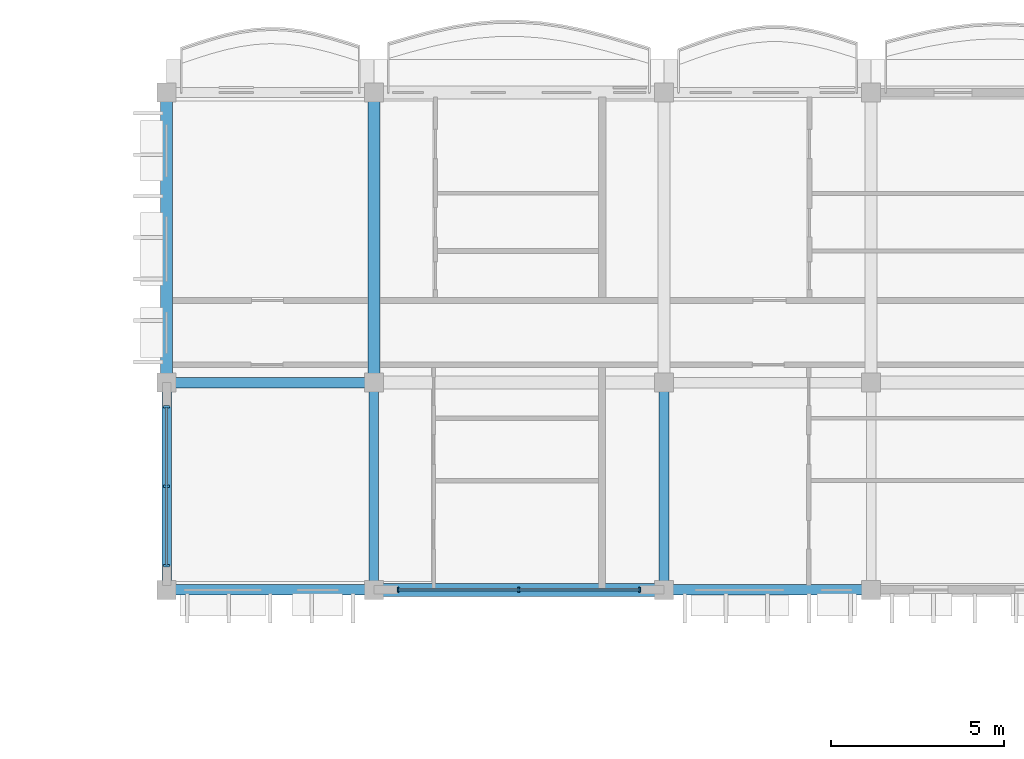
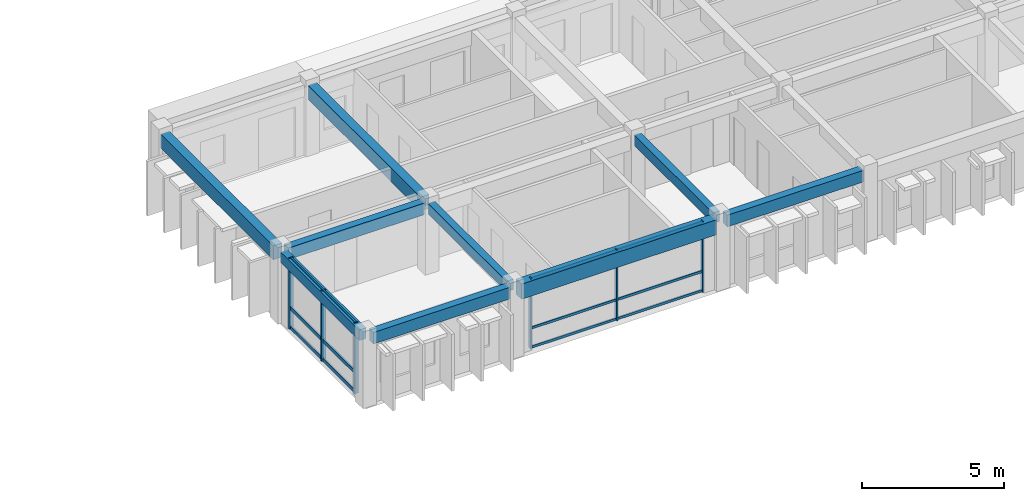
# One storey, part 4 of 31: 12 members, 9 beams, 2 elements without a shape of their own.
"""IFC4 building model written with IfcOpenShell, lengths in metres."""

from ifc_helpers import new_model, si_unit, direction, frame, origin, origin_2d, place, context, subcontext, project, spatial, rectangle, extrude, material, material_profile, profile_set, type_object, element, aggregate, save


model = new_model("IFC4")

# Units and contexts
model_context = context("Model", 3, precision=1e-05, world=origin(), true_north=direction((0.0, 1.0)))
body_context = subcontext(model_context, "Body", "Model", "MODEL_VIEW")
ifc_project = project(units=[si_unit("LENGTHUNIT", "METRE"), si_unit("AREAUNIT", "SQUARE_METRE"), si_unit("VOLUMEUNIT", "CUBIC_METRE"), si_unit("PLANEANGLEUNIT", "RADIAN"), si_unit("MASSUNIT", "GRAM", prefix="KILO"), si_unit("THERMODYNAMICTEMPERATUREUNIT", "KELVIN")], contexts=[model_context])

# Site, building, storey
site_placement = place(None, origin())
site = spatial("IfcSite", under=ifc_project, at=site_placement, CompositionType="ELEMENT")
building_placement = place(site_placement, origin())
building = spatial("IfcBuilding", under=site, at=building_placement, Name="Thalorik Housing Commons", CompositionType="ELEMENT")
storey_placement = place(building_placement, frame((0.0, 0.0, 37.800048828125)))
storey = spatial("IfcBuildingStorey", under=building, at=storey_placement, Name="L11", CompositionType="ELEMENT", Elevation=37.800048828125)

# Curtain wall, members
ifc_material_1 = material(Name="Anodised aluminium and solar-control low-E glass", Category="aluminium")
curtain_wall_type = type_object("IfcCurtainWallType", Name="ARC-CW-LOUNGE", PredefinedType="USERDEFINED", material=ifc_material_1)
curtain_wall_1_placement = place(storey_placement, origin())
curtain_wall_1 = element("IfcCurtainWall", 1, at=curtain_wall_1_placement, inside=storey, type_object=curtain_wall_type, Name="L11 Curtain Wall CW-RES-L11-B-121", ObjectType="CURTAIN WALL", PredefinedType="USERDEFINED")
ifc_material_2 = material(Name="Anodised aluminium 6063-T6", Category="aluminium")
ifc_material_profile_1 = material_profile(ifc_material_2, rectangle(XDim=0.054931640625, YDim=0.139892578125, at=origin_2d()), Name="ALU MUL 55x140", Category="aluminium")
ifc_profile_set_1 = profile_set([ifc_material_profile_1], Name="Anodised aluminium 6063-T6")
member_type_1 = type_object("IfcMemberType", Name="ARC-CW-MUL-55x140", PredefinedType="MULLION", material=ifc_profile_set_1)
member_1_placement = place(storey_placement, frame((115.89990234375, 109.199951171875, 0.0), z_axis=(0.0, 0.0, 1.0), x_axis=(1.0, 0.0, 0.0)))
member_1 = element("IfcMember", 2, at=member_1_placement, type_object=member_type_1, Name="CW-RES-L11-B-121 Mullion 1", PredefinedType="MULLION", context=body_context, shape_type="SweptSolid", body=[
    extrude(rectangle(XDim=0.054931640625, YDim=0.139892578125, at=origin_2d()), origin(), (0.0, 0.0, 1.0), 3.0400390625),
])
member_2_placement = place(storey_placement, frame((119.39990234375, 109.199951171875, 0.0), z_axis=(0.0, 0.0, 1.0), x_axis=(1.0, 0.0, 0.0)))
member_2 = element("IfcMember", 3, at=member_2_placement, type_object=member_type_1, Name="CW-RES-L11-B-121 Mullion 2", PredefinedType="MULLION", context=body_context, shape_type="SweptSolid", body=[
    extrude(rectangle(XDim=0.054931640625, YDim=0.139892578125, at=origin_2d()), origin(), (0.0, 0.0, 1.0), 3.0400390625),
])
member_3_placement = place(storey_placement, frame((122.89990234375, 109.199951171875, 0.0), z_axis=(0.0, 0.0, 1.0), x_axis=(1.0, 0.0, 0.0)))
member_3 = element("IfcMember", 4, at=member_3_placement, type_object=member_type_1, Name="CW-RES-L11-B-121 Mullion 3", PredefinedType="MULLION", context=body_context, shape_type="SweptSolid", body=[
    extrude(rectangle(XDim=0.054931640625, YDim=0.139892578125, at=origin_2d()), origin(), (0.0, 0.0, 1.0), 3.0400390625),
])

curtain_wall_2_placement = place(storey_placement, origin())
curtain_wall_2 = element("IfcCurtainWall", 5, at=curtain_wall_2_placement, inside=storey, type_object=curtain_wall_type, Name="L11 Curtain Wall CW-RES-L11-B-120", ObjectType="CURTAIN WALL", PredefinedType="USERDEFINED")
ifc_material_profile_2 = material_profile(ifc_material_2, rectangle(XDim=0.06494140625, YDim=0.179931640625, at=origin_2d()), Name="ALU MUL 65x180", Category="aluminium")
ifc_profile_set_2 = profile_set([ifc_material_profile_2], Name="Anodised aluminium 6063-T6")
member_type_2 = type_object("IfcMemberType", Name="ARC-CW-MUL-65x180", PredefinedType="MULLION", material=ifc_profile_set_2)
member_4_placement = place(storey_placement, frame((109.199951171875, 114.5, 0.0), z_axis=(0.0, 0.0, 1.0), x_axis=(0.0, -1.0, 0.0)))
member_4 = element("IfcMember", 6, at=member_4_placement, type_object=member_type_2, Name="CW-RES-L11-B-120 Mullion 1", PredefinedType="MULLION", context=body_context, shape_type="SweptSolid", body=[
    extrude(rectangle(XDim=0.06494140625, YDim=0.179931640625, at=origin_2d()), origin(), (0.0, 0.0, 1.0), 3.0400390625),
])
member_5_placement = place(storey_placement, frame((109.199951171875, 112.199951171875, 0.0), z_axis=(0.0, 0.0, 1.0), x_axis=(0.0, -1.0, 0.0)))
member_5 = element("IfcMember", 7, at=member_5_placement, type_object=member_type_2, Name="CW-RES-L11-B-120 Mullion 2", PredefinedType="MULLION", context=body_context, shape_type="SweptSolid", body=[
    extrude(rectangle(XDim=0.06494140625, YDim=0.179931640625, at=origin_2d()), origin(), (0.0, 0.0, 1.0), 3.0400390625),
])
member_6_placement = place(storey_placement, frame((109.199951171875, 109.89990234375, 0.0), z_axis=(0.0, 0.0, 1.0), x_axis=(0.0, -1.0, 0.0)))
member_6 = element("IfcMember", 8, at=member_6_placement, type_object=member_type_2, Name="CW-RES-L11-B-120 Mullion 3", PredefinedType="MULLION", context=body_context, shape_type="SweptSolid", body=[
    extrude(rectangle(XDim=0.06494140625, YDim=0.179931640625, at=origin_2d()), origin(), (0.0, 0.0, 1.0), 3.0400390625),
])

# Member
ifc_material_profile_3 = material_profile(ifc_material_2, rectangle(XDim=0.054931640625, YDim=0.10498046875, at=origin_2d()), Name="ALU TRN 55x105", Category="aluminium")
ifc_profile_set_3 = profile_set([ifc_material_profile_3], Name="Anodised aluminium 6063-T6")
member_type_3 = type_object("IfcMemberType", Name="ARC-CW-TRN-55x105", PredefinedType="USERDEFINED", material=ifc_profile_set_3)
member_7_placement = place(storey_placement, frame((115.89990234375, 109.199951171875, 0.054931640625), z_axis=(1.0, 0.0, 0.0), x_axis=(0.0, 1.0, 0.0)))
member_7 = element("IfcMember", 9, at=member_7_placement, type_object=member_type_3, Name="CW-RES-L11-B-121 Transom 1", ObjectType="TRANSOM", PredefinedType="USERDEFINED", context=body_context, shape_type="SweptSolid", body=[
    extrude(rectangle(XDim=0.054931640625, YDim=0.10498046875, at=origin_2d()), origin(), (0.0, 0.0, 1.0), 7.0),
])

member_8_placement = place(storey_placement, frame((115.89990234375, 109.199951171875, 0.8798828125), z_axis=(1.0, 0.0, 0.0), x_axis=(0.0, 1.0, 0.0)))
member_8 = element("IfcMember", 10, at=member_8_placement, type_object=member_type_3, Name="CW-RES-L11-B-121 Transom 2", ObjectType="TRANSOM", PredefinedType="USERDEFINED", context=body_context, shape_type="SweptSolid", body=[
    extrude(rectangle(XDim=0.054931640625, YDim=0.10498046875, at=origin_2d()), origin(), (0.0, 0.0, 1.0), 7.0),
])

member_9_placement = place(storey_placement, frame((115.89990234375, 109.199951171875, 2.98486328125), z_axis=(1.0, 0.0, 0.0), x_axis=(0.0, 1.0, 0.0)))
member_9 = element("IfcMember", 11, at=member_9_placement, type_object=member_type_3, Name="CW-RES-L11-B-121 Transom 3", ObjectType="TRANSOM", PredefinedType="USERDEFINED", context=body_context, shape_type="SweptSolid", body=[
    extrude(rectangle(XDim=0.054931640625, YDim=0.10498046875, at=origin_2d()), origin(), (0.0, 0.0, 1.0), 7.0),
])

aggregate(curtain_wall_1, [member_1, member_2, member_3, member_7, member_8, member_9])

ifc_material_profile_4 = material_profile(ifc_material_2, rectangle(XDim=0.06494140625, YDim=0.14990234375, at=origin_2d()), Name="ALU TRN 65x150", Category="aluminium")
ifc_profile_set_4 = profile_set([ifc_material_profile_4], Name="Anodised aluminium 6063-T6")
member_type_4 = type_object("IfcMemberType", Name="ARC-CW-TRN-65x150", PredefinedType="USERDEFINED", material=ifc_profile_set_4)
member_10_placement = place(storey_placement, frame((109.199951171875, 114.5, 0.054931640625), z_axis=(0.0, -1.0, 0.0), x_axis=(1.0, 0.0, 0.0)))
member_10 = element("IfcMember", 12, at=member_10_placement, type_object=member_type_4, Name="CW-RES-L11-B-120 Transom 1", ObjectType="TRANSOM", PredefinedType="USERDEFINED", context=body_context, shape_type="SweptSolid", body=[
    extrude(rectangle(XDim=0.06494140625, YDim=0.14990234375, at=origin_2d()), origin(), (0.0, 0.0, 1.0), 4.60009765625),
])

member_11_placement = place(storey_placement, frame((109.199951171875, 114.5, 0.8798828125), z_axis=(0.0, -1.0, 0.0), x_axis=(1.0, 0.0, 0.0)))
member_11 = element("IfcMember", 13, at=member_11_placement, type_object=member_type_4, Name="CW-RES-L11-B-120 Transom 2", ObjectType="TRANSOM", PredefinedType="USERDEFINED", context=body_context, shape_type="SweptSolid", body=[
    extrude(rectangle(XDim=0.06494140625, YDim=0.14990234375, at=origin_2d()), origin(), (0.0, 0.0, 1.0), 4.60009765625),
])

member_12_placement = place(storey_placement, frame((109.199951171875, 114.5, 2.98486328125), z_axis=(0.0, -1.0, 0.0), x_axis=(1.0, 0.0, 0.0)))
member_12 = element("IfcMember", 14, at=member_12_placement, type_object=member_type_4, Name="CW-RES-L11-B-120 Transom 3", ObjectType="TRANSOM", PredefinedType="USERDEFINED", context=body_context, shape_type="SweptSolid", body=[
    extrude(rectangle(XDim=0.06494140625, YDim=0.14990234375, at=origin_2d()), origin(), (0.0, 0.0, 1.0), 4.60009765625),
])

aggregate(curtain_wall_2, [member_4, member_5, member_6, member_10, member_11, member_12])

# Beams
ifc_material_3 = material(Name="Precast concrete C40/50", Category="concrete")
ifc_material_profile_5 = material_profile(ifc_material_3, rectangle(XDim=0.280029296875, YDim=0.449951171875, at=origin_2d()), Name="PC 280x450", Category="concrete")
ifc_profile_set_5 = profile_set([ifc_material_profile_5], Name="Precast concrete C40/50")
beam_type_1 = type_object("IfcBeamType", Name="STR-BM-PC280x450", PredefinedType="BEAM", material=ifc_profile_set_5)
for number, where, z_axis, x_axis, name in (
    (15, (109.199951171875, 109.425048828125, 2.81494140625), (0.0, 1.0, 0.0), (-1.0, 0.0, 0.0), "L11 Beam B-450"),
    (16, (115.199951171875, 109.425048828125, 2.81494140625), (0.0, 1.0, 0.0), (-1.0, 0.0, 0.0), "L11 Beam B-450"),
    (17, (123.60009765625, 109.425048828125, 2.81494140625), (0.0, 1.0, 0.0), (-1.0, 0.0, 0.0), "L11 Beam B-450"),
):
    element("IfcBeam", number, at=place(storey_placement, frame(where, z_axis=z_axis, x_axis=x_axis)), inside=storey, type_object=beam_type_1, Name=name, PredefinedType="BEAM", context=body_context, shape_type="SweptSolid", body=[
        extrude(rectangle(XDim=0.280029296875, YDim=0.449951171875, at=origin_2d()), origin(), (0.0, 0.0, 1.0), 5.550048828125),
    ])
ifc_material_profile_6 = material_profile(ifc_material_3, rectangle(XDim=0.300048828125, YDim=0.5, at=origin_2d()), Name="PC 300x500", Category="concrete")
ifc_profile_set_6 = profile_set([ifc_material_profile_6], Name="Precast concrete C40/50")
beam_type_2 = type_object("IfcBeamType", Name="STR-BM-PC300x500", PredefinedType="BEAM", material=ifc_profile_set_6)
for number, where, z_axis, x_axis, name in (
    (18, (109.425048828125, 109.199951171875, 2.7900390625), (1.0, 0.0, 0.0), (0.0, 1.0, 0.0), "L11 Beam B-500"),
    (19, (123.824951171875, 109.199951171875, 2.7900390625), (1.0, 0.0, 0.0), (0.0, 1.0, 0.0), "L11 Beam B-500"),
    (20, (109.425048828125, 115.199951171875, 2.7900390625), (1.0, 0.0, 0.0), (0.0, 1.0, 0.0), "L11 Beam B-500"),
):
    element("IfcBeam", number, at=place(storey_placement, frame(where, z_axis=z_axis, x_axis=x_axis)), inside=storey, type_object=beam_type_2, Name=name, PredefinedType="BEAM", context=body_context, shape_type="SweptSolid", body=[
        extrude(rectangle(XDim=0.300048828125, YDim=0.5, at=origin_2d()), origin(), (0.0, 0.0, 1.0), 5.550048828125),
    ])
ifc_material_profile_7 = material_profile(ifc_material_3, rectangle(XDim=0.35009765625, YDim=0.60009765625, at=origin_2d()), Name="PC 350x600", Category="concrete")
ifc_profile_set_7 = profile_set([ifc_material_profile_7], Name="Precast concrete C40/50")
beam_type_3 = type_object("IfcBeamType", Name="STR-BM-PC350x600", PredefinedType="BEAM", material=ifc_profile_set_7)
for number, where, z_axis, x_axis, name in (
    (21, (109.199951171875, 115.425048828125, 2.739990234375), (0.0, 1.0, 0.0), (-1.0, 0.0, 0.0), "L11 Beam B-600"),
    (22, (115.199951171875, 115.425048828125, 2.739990234375), (0.0, 1.0, 0.0), (-1.0, 0.0, 0.0), "L11 Beam B-600"),
):
    element("IfcBeam", number, at=place(storey_placement, frame(where, z_axis=z_axis, x_axis=x_axis)), inside=storey, type_object=beam_type_3, Name=name, PredefinedType="BEAM", context=body_context, shape_type="SweptSolid", body=[
        extrude(rectangle(XDim=0.35009765625, YDim=0.60009765625, at=origin_2d()), origin(), (0.0, 0.0, 1.0), 7.949951171875),
    ])
ifc_material_profile_8 = material_profile(ifc_material_3, rectangle(XDim=0.3798828125, YDim=0.64990234375, at=origin_2d()), Name="PC 380x650", Category="concrete")
ifc_profile_set_8 = profile_set([ifc_material_profile_8], Name="Precast concrete C40/50")
beam_type_4 = type_object("IfcBeamType", Name="STR-BM-PC380x650", PredefinedType="BEAM", material=ifc_profile_set_8)
beam_placement = place(storey_placement, frame((115.425048828125, 109.199951171875, 2.71484375), z_axis=(1.0, 0.0, 0.0), x_axis=(0.0, 1.0, 0.0)))
element("IfcBeam", 23, at=beam_placement, inside=storey, type_object=beam_type_4, Name="L11 Beam B-650", PredefinedType="BEAM", context=body_context, shape_type="SweptSolid", body=[
    extrude(rectangle(XDim=0.3798828125, YDim=0.64990234375, at=origin_2d()), origin(), (0.0, 0.0, 1.0), 7.949951171875),
])

save(model, "model.ifc")
